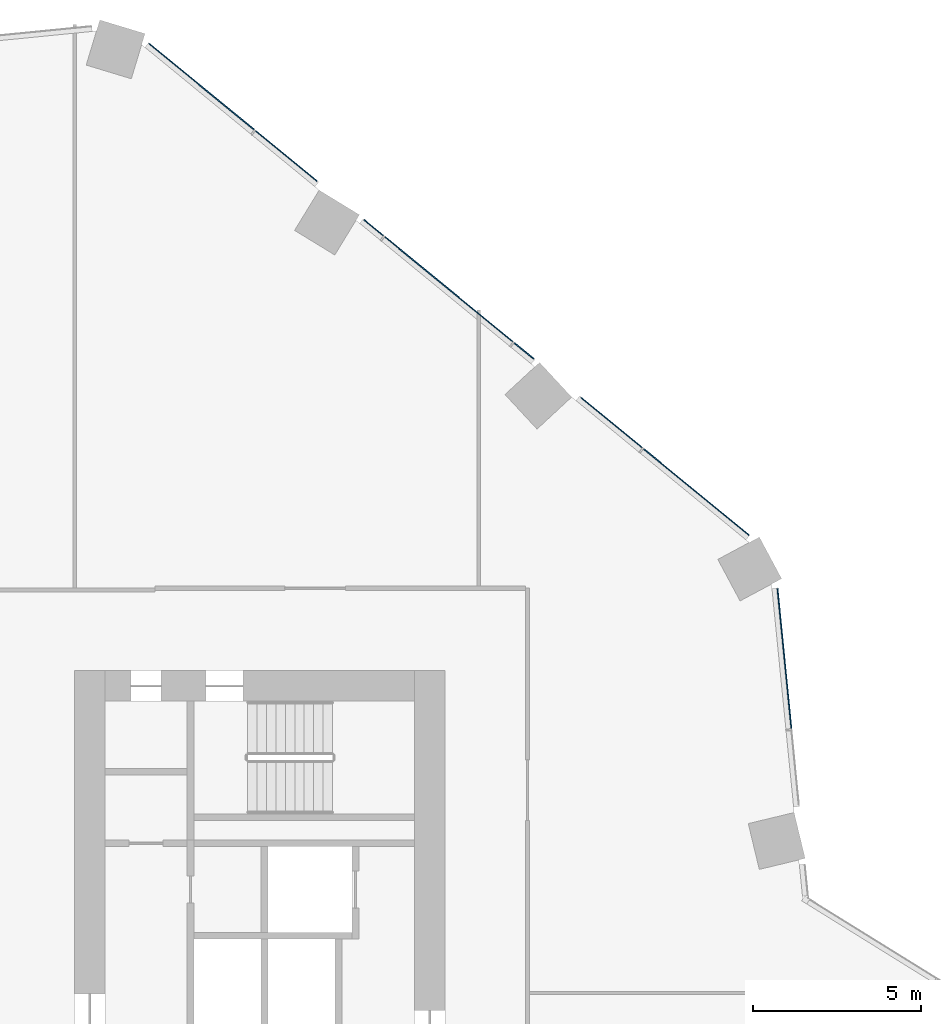
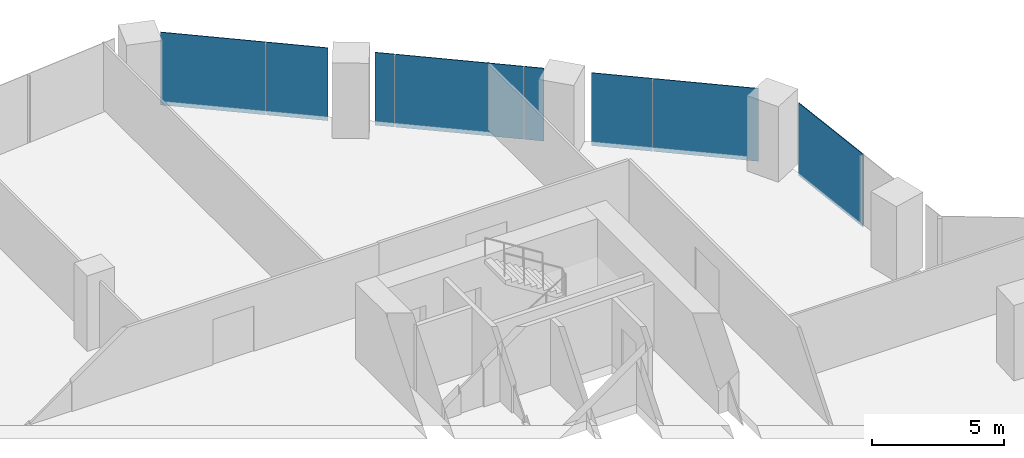
# One storey, part 26 of 34: 8 plates, 2 elements without a shape of their own.
"""IFC4 building model written with IfcOpenShell, lengths in metres."""

from ifc_helpers import new_model, si_unit, direction, frame, origin, origin_2d, place, context, subcontext, project, spatial, rectangle, extrude, material, layer, layer_set, type_object, element, aggregate, save


model = new_model("IFC4")

# Units and contexts
model_context = context("Model", 3, precision=1e-05, world=origin(), true_north=direction((0.0, 1.0)))
body_context = subcontext(model_context, "Body", "Model", "MODEL_VIEW")
ifc_project = project(units=[si_unit("LENGTHUNIT", "METRE"), si_unit("AREAUNIT", "SQUARE_METRE"), si_unit("VOLUMEUNIT", "CUBIC_METRE"), si_unit("PLANEANGLEUNIT", "RADIAN"), si_unit("MASSUNIT", "GRAM", prefix="KILO")], contexts=[model_context])

# Site, building, storey
site_placement = place(None, origin())
site = spatial("IfcSite", under=ifc_project, at=site_placement, CompositionType="ELEMENT")
building_placement = place(site_placement, origin())
building = spatial("IfcBuilding", under=site, at=building_placement, Name="Orlundy Tower", CompositionType="ELEMENT")
storey_placement = place(building_placement, frame((0.0, 0.0, 44.300048828125)))
storey = spatial("IfcBuildingStorey", under=building, at=storey_placement, Name="L09", CompositionType="ELEMENT", Elevation=44.300048828125)

# Curtain wall, plates
ifc_material_1 = material(Name="Aluminium bronze anodised", Category="aluminium")
curtain_wall_type = type_object("IfcCurtainWallType", Name="CW1 wall", PredefinedType="NOTDEFINED", material=ifc_material_1)
curtain_wall_1_placement = place(storey_placement, origin())
curtain_wall_1 = element("IfcCurtainWall", 1, at=curtain_wall_1_placement, inside=storey, type_object=curtain_wall_type, Name="CW1 run 04", PredefinedType="NOTDEFINED")
ifc_material_2 = material(Name="Tinted glass", Category="glass")
ifc_layer = layer(ifc_material_2, 0.031982421875)
ifc_layer_set = layer_set([ifc_layer], Name="CW1 glass panel 32")
plate_type = type_object("IfcPlateType", Name="CW1 glass panel 32", PredefinedType="CURTAIN_PANEL", material=ifc_layer_set)
plate_1_placement = place(storey_placement, frame((11.77001953125, 29.3525390625, -0.300048828125), z_axis=(0.0, 0.0, 1.0), x_axis=(0.773482002143, -0.633818264458, 0.0)))
plate_1 = element("IfcPlate", 2, at=plate_1_placement, type_object=plate_type, Name="CW1 panel", PredefinedType="CURTAIN_PANEL", context=body_context, shape_type="SweptSolid", body=[
    extrude(rectangle(XDim=4.039306640625, YDim=0.031982421875, at=origin_2d()), origin(), (0.0, 0.0, 1.0), 3.3798828125),
])
plate_2_placement = place(storey_placement, frame((14.28271484375, 27.29345703125, -0.300048828125), z_axis=(0.0, 0.0, 1.0), x_axis=(0.773482002143, -0.633818264458, 0.0)))
plate_2 = element("IfcPlate", 3, at=plate_2_placement, type_object=plate_type, Name="CW1 panel", PredefinedType="CURTAIN_PANEL", context=body_context, shape_type="SweptSolid", body=[
    extrude(rectangle(XDim=2.35791015625, YDim=0.031982421875, at=origin_2d()), origin(), (0.0, 0.0, 1.0), 3.3798828125),
])
plate_3_placement = place(storey_placement, frame((16.888427734375, 25.158203125, -0.300048828125), z_axis=(0.0, 0.0, 1.0), x_axis=(0.773482002143, -0.633818264458, 0.0)))
plate_3 = element("IfcPlate", 4, at=plate_3_placement, type_object=plate_type, Name="CW1 panel", PredefinedType="CURTAIN_PANEL", context=body_context, shape_type="SweptSolid", body=[
    extrude(rectangle(XDim=0.74560546875, YDim=0.031982421875, at=origin_2d()), origin(), (0.0, 0.0, 1.0), 3.3798828125),
])
plate_4_placement = place(storey_placement, frame((19.118408203125, 23.330810546875, -0.300048828125), z_axis=(0.0, 0.0, 1.0), x_axis=(0.773482002143, -0.633818264458, 0.0)))
plate_4 = element("IfcPlate", 5, at=plate_4_placement, type_object=plate_type, Name="CW1 panel", PredefinedType="CURTAIN_PANEL", context=body_context, shape_type="SweptSolid", body=[
    extrude(rectangle(XDim=4.92041015625, YDim=0.031982421875, at=origin_2d()), origin(), (0.0, 0.0, 1.0), 3.3798828125),
])
plate_5_placement = place(storey_placement, frame((21.3486328125, 21.50341796875, -0.300048828125), z_axis=(0.0, 0.0, 1.0), x_axis=(0.773482002143, -0.633818264458, 0.0)))
plate_5 = element("IfcPlate", 6, at=plate_5_placement, type_object=plate_type, Name="CW1 panel", PredefinedType="CURTAIN_PANEL", context=body_context, shape_type="SweptSolid", body=[
    extrude(rectangle(XDim=0.74609375, YDim=0.031982421875, at=origin_2d()), origin(), (0.0, 0.0, 1.0), 3.3798828125),
])
plate_6_placement = place(storey_placement, frame((23.954345703125, 19.3681640625, -0.300048828125), z_axis=(0.0, 0.0, 1.0), x_axis=(0.773482002143, -0.633818264458, 0.0)))
plate_6 = element("IfcPlate", 7, at=plate_6_placement, type_object=plate_type, Name="CW1 panel", PredefinedType="CURTAIN_PANEL", context=body_context, shape_type="SweptSolid", body=[
    extrude(rectangle(XDim=2.357421875, YDim=0.031982421875, at=origin_2d()), origin(), (0.0, 0.0, 1.0), 3.3798828125),
])
plate_7_placement = place(storey_placement, frame((26.467041015625, 17.30908203125, -0.300048828125), z_axis=(0.0, 0.0, 1.0), x_axis=(0.773482002143, -0.633818264458, 0.0)))
plate_7 = element("IfcPlate", 8, at=plate_7_placement, type_object=plate_type, Name="CW1 panel", PredefinedType="CURTAIN_PANEL", context=body_context, shape_type="SweptSolid", body=[
    extrude(rectangle(XDim=4.0400390625, YDim=0.031982421875, at=origin_2d()), origin(), (0.0, 0.0, 1.0), 3.3798828125),
])
aggregate(curtain_wall_1, [plate_1, plate_2, plate_3, plate_4, plate_5, plate_6, plate_7])

# Curtain wall, plate
curtain_wall_2_placement = place(storey_placement, origin())
curtain_wall_2 = element("IfcCurtainWall", 9, at=curtain_wall_2_placement, inside=storey, type_object=curtain_wall_type, Name="CW1 run 05", PredefinedType="NOTDEFINED")
plate_8_placement = place(storey_placement, frame((29.08544921875, 12.358642578125, -0.300048828125), z_axis=(0.0, 0.0, 1.0), x_axis=(0.098758968204, -0.995111383815, 0.0)))
plate_8 = element("IfcPlate", 10, at=plate_8_placement, type_object=plate_type, Name="CW1 panel", PredefinedType="CURTAIN_PANEL", context=body_context, shape_type="SweptSolid", body=[
    extrude(rectangle(XDim=4.1865234375, YDim=0.031982421875, at=origin_2d()), origin(), (0.0, 0.0, 1.0), 3.3798828125),
])
aggregate(curtain_wall_2, [plate_8])

save(model, "model.ifc")
